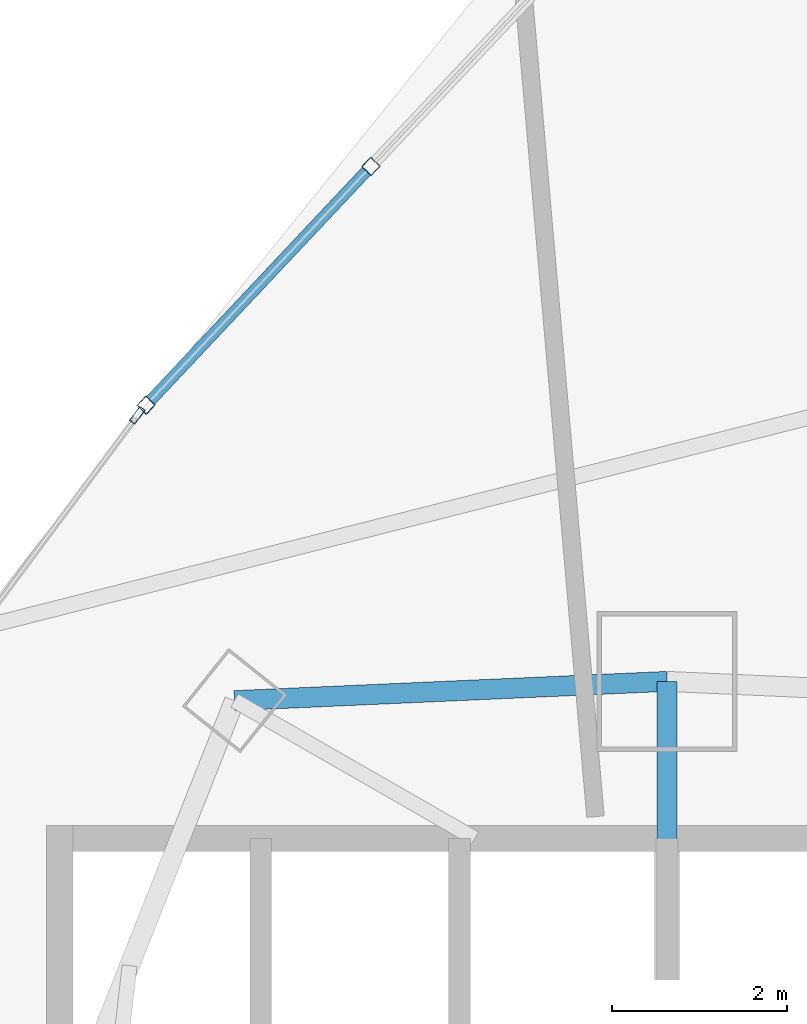
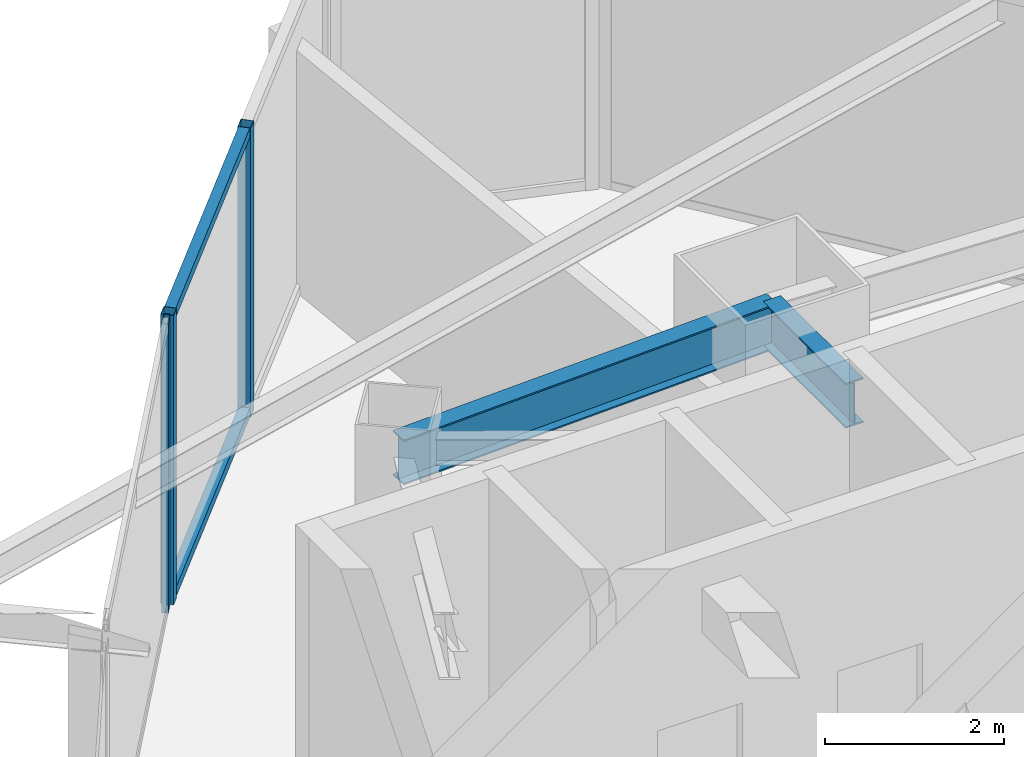
# One storey, part 21 of 33: 5 members, 2 beams, 2 elements without a shape of their own.
"""IFC4 building model written with IfcOpenShell, lengths in metres."""

import ifcopenshell
import ifcopenshell.guid

model = None  # the IFC model being written
_history = None  # IfcOwnerHistory: only IFC2X3 demands one
_inside = {}  # id of a spatial element -> (the spatial element, [elements in it])
_under = {}  # id of a project, library or spatial element -> (it, [spatial elements below it])
_declared = {}  # id of a project -> (the project, [libraries it declares])
_typed = {}  # id of a type object -> (the type object, [elements of that type])
_made_of = {}  # id of a material, layer set ... -> (it, [elements and type objects made of it])


def new_model(schema):
    """Start an empty IFC model of exactly this schema.

    Asked for "IFC4X3", IfcOpenShell would pick the latest addendum, in which some entities
    have other attributes; the version numbers below select the first issue.
    IFC2X3 requires an IfcOwnerHistory on every rooted entity: one is made here for all.
    """
    global model, _history
    if schema == "IFC4X3":
        model = ifcopenshell.file(schema_version=(4, 3, 0, 0))
    else:
        model = ifcopenshell.file(schema=schema)
    _inside.clear()
    _under.clear()
    _declared.clear()
    _typed.clear()
    _made_of.clear()
    _history = None
    if model.schema == "IFC2X3":
        org = make("IfcOrganization", Name="unknown")
        user = make(
            "IfcPersonAndOrganization",
            ThePerson=make("IfcPerson", FamilyName="unknown"),
            TheOrganization=org,
        )
        app = make(
            "IfcApplication",
            ApplicationDeveloper=org,
            Version="unknown",
            ApplicationFullName="unknown",
            ApplicationIdentifier="unknown",
        )
        _history = make(
            "IfcOwnerHistory",
            OwningUser=user,
            OwningApplication=app,
            ChangeAction="ADDED",
            CreationDate=0,
        )
    return model


def make(cls, **values):
    """One entity of the class cls with the attributes given. An attribute that is None is left unset."""
    return model.create_entity(
        cls, **{name: value for name, value in values.items() if value is not None}
    )


def rooted(cls, **values):
    """An entity with a GlobalId (a new one), such as an element, a storey or a relation."""
    return make(cls, GlobalId=ifcopenshell.guid.new(), OwnerHistory=_history, **values)


def si_unit(unit_type, name, prefix=None):
    """IfcSIUnit, for example si_unit("LENGTHUNIT", "METRE", prefix="MILLI")."""
    return make("IfcSIUnit", UnitType=unit_type, Prefix=prefix, Name=name)


def assignment(units):
    """IfcUnitAssignment: the units of a project."""
    return None if units is None else make("IfcUnitAssignment", Units=units)


def point(xyz):
    """IfcCartesianPoint."""
    return None if xyz is None else make("IfcCartesianPoint", Coordinates=xyz)


def direction(xyz):
    """IfcDirection."""
    return None if xyz is None else make("IfcDirection", DirectionRatios=xyz)


def frame(location, z_axis=None, x_axis=None):
    """IfcAxis2Placement3D, a coordinate frame: its origin and axes. An axis left out is left unset."""
    return make(
        "IfcAxis2Placement3D",
        Location=point(location),
        Axis=direction(z_axis),
        RefDirection=direction(x_axis),
    )


def frame_2d(location, x_axis=None):
    """IfcAxis2Placement2D, a coordinate frame in the plane: its origin and x axis."""
    return make(
        "IfcAxis2Placement2D", Location=point(location), RefDirection=direction(x_axis)
    )


def origin():
    """The frame at (0, 0, 0) with its axes left unset."""
    return frame((0.0, 0.0, 0.0))


def origin_2d():
    """The frame at (0, 0) in the plane with its x axis left unset."""
    return frame_2d((0.0, 0.0))


def place(relative_to, where):
    """IfcLocalPlacement: puts the frame where relative to a parent placement (None: the world)."""
    return make(
        "IfcLocalPlacement", PlacementRelTo=relative_to, RelativePlacement=where
    )


def context(
    kind, dimensions, precision=None, world=None, true_north=None, identifier=None
):
    """IfcGeometricRepresentationContext, for example the 3D "Model" context."""
    return make(
        "IfcGeometricRepresentationContext",
        ContextIdentifier=identifier,
        ContextType=kind,
        CoordinateSpaceDimension=dimensions,
        Precision=precision,
        WorldCoordinateSystem=world,
        TrueNorth=true_north,
    )


def subcontext(parent, identifier, kind, view, scale=None):
    """IfcGeometricRepresentationSubContext, for example "Body" below "Model"."""
    return make(
        "IfcGeometricRepresentationSubContext",
        ContextIdentifier=identifier,
        ContextType=kind,
        ParentContext=parent,
        TargetScale=scale,
        TargetView=view,
    )


def project(units=None, contexts=None):
    """IfcProject with its units and contexts."""
    return rooted(
        "IfcProject",
        Name="project",
        RepresentationContexts=contexts,
        UnitsInContext=assignment(units),
    )


def spatial(cls, under=None, at=None, **own):
    """A site, building, storey or space (cls), placed at a placement, below another one or the project."""
    s = rooted(cls, ObjectPlacement=at, **own)
    if under is not None:
        _under.setdefault(under.id(), (under, []))[1].append(s)
    return s


def profile(cls, at=None, kind="AREA", **sizes):
    """A parametric profile (cls). Its sizes go by their IFC names, for example OverallWidth=200.0."""
    return make(cls, ProfileType=kind, Position=at, **sizes)


def hollow_rectangle(**sizes):
    """IfcRectangleHollowProfileDef."""
    return profile("IfcRectangleHollowProfileDef", **sizes)


def i_section(**sizes):
    """IfcIShapeProfileDef."""
    return profile("IfcIShapeProfileDef", **sizes)


def extrude(swept, where, along, depth):
    """IfcExtrudedAreaSolid: the profile swept, set in the frame where, extruded along a direction by depth."""
    return make(
        "IfcExtrudedAreaSolid",
        SweptArea=swept,
        Position=where,
        ExtrudedDirection=direction(along),
        Depth=depth,
    )


def shape(context_of_items, identifier, shape_type, items):
    """IfcShapeRepresentation: the items that make up one representation, for example the "Body"."""
    return make(
        "IfcShapeRepresentation",
        ContextOfItems=context_of_items,
        RepresentationIdentifier=identifier,
        RepresentationType=shape_type,
        Items=items,
    )


def material(Name=None, Category=None):
    """IfcMaterial."""
    return make("IfcMaterial", Name=Name, Category=Category)


def layer(
    of_material, thickness, ventilated=None, Name=None, Category=None, Priority=None
):
    """IfcMaterialLayer: one layer of a wall or slab, of a material (None: an air gap)."""
    return make(
        "IfcMaterialLayer",
        Material=of_material,
        LayerThickness=thickness,
        IsVentilated=ventilated,
        Name=Name,
        Category=Category,
        Priority=Priority,
    )


def layer_set(layers, Name=None):
    """IfcMaterialLayerSet."""
    return make("IfcMaterialLayerSet", MaterialLayers=layers, LayerSetName=Name)


def material_profile(
    of_material, cross_section, Name=None, Category=None, Priority=None
):
    """IfcMaterialProfile: a cross section and its material."""
    return make(
        "IfcMaterialProfile",
        Name=Name,
        Material=of_material,
        Profile=cross_section,
        Priority=Priority,
        Category=Category,
    )


def profile_set(profiles, Name=None, composite=None):
    """IfcMaterialProfileSet."""
    return make(
        "IfcMaterialProfileSet",
        Name=Name,
        MaterialProfiles=profiles,
        CompositeProfile=composite,
    )


def made_of(thing, what):
    """Note that an element or type object is made of a material, layer set ...; save() writes the relation."""
    if what is not None:
        _made_of.setdefault(what.id(), (what, []))[1].append(thing)
    return thing


def type_object(cls, material=None, **own):
    """A type object (cls), such as IfcWallType, which elements share."""
    return made_of(rooted(cls, **own), material)


def element(
    cls,
    number,
    at=None,
    inside=None,
    cuts=None,
    type_object=None,
    material=None,
    context=None,
    identifier="Body",
    shape_type=None,
    held_by="IfcProductDefinitionShape",
    body=None,
    shapes=None,
    **own,
):
    """One element of the class cls, such as IfcWall. Its Tag is "e" and its number.

    at: its placement. inside: the storey or other place that contains it. cuts: it is an
    opening in that element (IfcRelVoidsElement). A single representation is given by context,
    identifier, shape_type and body (its items); several are given by shapes. held_by: the class
    of the entity that holds the representations. save() writes the other relations.
    """
    e = rooted(cls, Tag="e%d" % number, ObjectPlacement=at, **own)
    if body is not None:
        shapes = [shape(context, identifier, shape_type, body)]
    if shapes is not None:
        e.Representation = make(held_by, Representations=shapes)
    if inside is not None:
        _inside.setdefault(inside.id(), (inside, []))[1].append(e)
    if cuts is not None:
        rooted(
            "IfcRelVoidsElement", RelatingBuildingElement=cuts, RelatedOpeningElement=e
        )
    if type_object is not None:
        _typed.setdefault(type_object.id(), (type_object, []))[1].append(e)
    return made_of(e, material)


def aggregate(whole, parts):
    """IfcRelAggregates: a whole, such as a stair, and the parts it consists of."""
    return rooted("IfcRelAggregates", RelatingObject=whole, RelatedObjects=parts)


def save(model, path):
    """Write the relations noted so far, then the file.

    IfcRelAggregates (storeys below a building ...), IfcRelContainedInSpatialStructure (elements
    in a storey), IfcRelDefinesByType, IfcRelAssociatesMaterial and IfcRelDeclares: one each for
    every whole, place, type object, material and project.
    """
    for whole, parts in _under.values():
        aggregate(whole, parts)
    for where, things in _inside.values():
        rooted(
            "IfcRelContainedInSpatialStructure",
            RelatedElements=things,
            RelatingStructure=where,
        )
    for kind, things in _typed.values():
        rooted("IfcRelDefinesByType", RelatedObjects=things, RelatingType=kind)
    for what, things in _made_of.values():
        rooted("IfcRelAssociatesMaterial", RelatedObjects=things, RelatingMaterial=what)
    for by, libraries in _declared.values():
        rooted("IfcRelDeclares", RelatingContext=by, RelatedDefinitions=libraries)
    model.write(path)


model = new_model("IFC4")

# Units and contexts
model_context = context("Model", 3, precision=1e-05, world=origin(), true_north=direction((0.0, 1.0)))
body_context = subcontext(model_context, "Body", "Model", "MODEL_VIEW")
ifc_project = project(units=[si_unit("LENGTHUNIT", "METRE"), si_unit("AREAUNIT", "SQUARE_METRE"), si_unit("VOLUMEUNIT", "CUBIC_METRE"), si_unit("PLANEANGLEUNIT", "RADIAN"), si_unit("MASSUNIT", "GRAM", prefix="KILO")], contexts=[model_context])

# Site, building, storey
site_placement = place(None, origin())
site = spatial("IfcSite", under=ifc_project, at=site_placement, CompositionType="ELEMENT")
building_placement = place(site_placement, origin())
building = spatial("IfcBuilding", under=site, at=building_placement, Name="Orvanel Arch Residences", CompositionType="ELEMENT")
storey_placement = place(building_placement, frame((0.0, 0.0, 97.25)))
storey = spatial("IfcBuildingStorey", under=building, at=storey_placement, Name="L27", CompositionType="ELEMENT", Elevation=97.25)

# Beam
ifc_material_1 = material(Name="Structural steel AS/NZS 3679.1 Grade 300 (300 MPa)", Category="steel")
ifc_material_profile_1 = material_profile(ifc_material_1, i_section(OverallWidth=0.22900390625, OverallDepth=0.612060546875, WebThickness=0.011962890625, FlangeThickness=0.01953125, at=origin_2d()), Name="610UB125")
ifc_profile_set_1 = profile_set([ifc_material_profile_1], Name="Structural steel AS/NZS 3679.1 Grade 300 (300 MPa)")
beam_type_1 = type_object("IfcBeamType", Name="BG-610UB", PredefinedType="BEAM", material=ifc_profile_set_1)
beam_1_placement = place(storey_placement, frame((33.0, 39.550048828125, 3.64404296875), z_axis=(0.0, 1.0, 0.0), x_axis=(-1.0, 0.0, 0.0)))
element("IfcBeam", 1, at=beam_1_placement, inside=storey, type_object=beam_type_1, Name="L27 North Radial Girder", PredefinedType="BEAM", context=body_context, shape_type="SweptSolid", body=[
    extrude(i_section(OverallWidth=0.22900390625, OverallDepth=0.612060546875, WebThickness=0.011962890625, FlangeThickness=0.01953125, at=origin_2d()), origin(), (0.0, 0.0, 1.0), 1.847900390625),
])

# Curtain wall, members
ifc_material_2 = material(Name="Bronze-anodised aluminium AA6063-T6", Category="aluminium")
ifc_layer_1 = layer(ifc_material_2, 0.18994140625)
ifc_layer_set_1 = layer_set([ifc_layer_1], Name="Bronze-anodised aluminium AA6063-T6")
curtain_wall_type_1 = type_object("IfcCurtainWallType", Name="CW5-CRN-SYS", PredefinedType="NOTDEFINED", material=ifc_layer_set_1)
curtain_wall_1_placement = place(storey_placement, origin())
curtain_wall_1 = element("IfcCurtainWall", 2, at=curtain_wall_1_placement, inside=storey, type_object=curtain_wall_type_1, Name="L27 CW5-CRN-SYS Unitised Curtain Wall", PredefinedType="NOTDEFINED")
ifc_material_profile_2 = material_profile(ifc_material_2, hollow_rectangle(XDim=0.14990234375, YDim=0.14990234375, WallThickness=0.0048828125, at=origin_2d()), Name="ALU150x150x5")
ifc_profile_set_2 = profile_set([ifc_material_profile_2], Name="Bronze-anodised aluminium AA6063-T6")
member_type_1 = type_object("IfcMemberType", Name="MUL-150x150", PredefinedType="MULLION", material=ifc_profile_set_2)
member_1_placement = place(storey_placement, frame((29.611083984375, 47.29296875, 0.0), z_axis=(0.0, 0.0, 1.0), x_axis=(0.728069647077, -0.68550316484, 0.0)))
member_1 = element("IfcMember", 3, at=member_1_placement, type_object=member_type_1, Name="CW-S5 mullion 2", PredefinedType="MULLION", context=body_context, shape_type="SweptSolid", body=[
    extrude(hollow_rectangle(XDim=0.14990234375, YDim=0.14990234375, WallThickness=0.0048828125, at=origin_2d()), origin(), (0.0, 0.0, 1.0), 3.949951171875),
])
member_2_placement = place(storey_placement, frame((27.037353515625, 44.5595703125, 0.0), z_axis=(0.0, 0.0, 1.0), x_axis=(0.728069647077, -0.68550316484, 0.0)))
member_2 = element("IfcMember", 4, at=member_2_placement, type_object=member_type_1, Name="CW-S5 mullion 3", PredefinedType="MULLION", context=body_context, shape_type="SweptSolid", body=[
    extrude(hollow_rectangle(XDim=0.14990234375, YDim=0.14990234375, WallThickness=0.0048828125, at=origin_2d()), origin(), (0.0, 0.0, 1.0), 3.949951171875),
])

# Curtain wall, member
ifc_layer_2 = layer(ifc_material_2, 0.195068359375)
ifc_layer_set_2 = layer_set([ifc_layer_2], Name="Bronze-anodised aluminium AA6063-T6")
curtain_wall_type_2 = type_object("IfcCurtainWallType", Name="CW6-COM-SYS", PredefinedType="NOTDEFINED", material=ifc_layer_set_2)
curtain_wall_2_placement = place(storey_placement, origin())
curtain_wall_2 = element("IfcCurtainWall", 5, at=curtain_wall_2_placement, inside=storey, type_object=curtain_wall_type_2, Name="L27 CW6-COM-SYS Unitised Curtain Wall", PredefinedType="NOTDEFINED")
ifc_material_profile_3 = material_profile(ifc_material_2, hollow_rectangle(XDim=0.074951171875, YDim=0.199951171875, WallThickness=0.0048828125, at=origin_2d()), Name="ALU200x75x5")
ifc_profile_set_3 = profile_set([ifc_material_profile_3], Name="Bronze-anodised aluminium AA6063-T6")
member_type_2 = type_object("IfcMemberType", Name="MUL-200x75", PredefinedType="MULLION", material=ifc_profile_set_3)
member_3_placement = place(storey_placement, frame((26.937744140625, 44.44384765625, 0.0), z_axis=(0.0, 0.0, 1.0), x_axis=(0.802490155261, -0.596665359065, 0.0)))
member_3 = element("IfcMember", 6, at=member_3_placement, type_object=member_type_2, Name="CW-S6 mullion 1", PredefinedType="MULLION", context=body_context, shape_type="SweptSolid", body=[
    extrude(hollow_rectangle(XDim=0.074951171875, YDim=0.199951171875, WallThickness=0.0048828125, at=origin_2d()), origin(), (0.0, 0.0, 1.0), 3.949951171875),
])
aggregate(curtain_wall_2, [member_3])

# Beam
ifc_material_profile_4 = material_profile(ifc_material_1, i_section(OverallWidth=0.22900390625, OverallDepth=0.612060546875, WebThickness=0.011962890625, FlangeThickness=0.01953125, at=origin_2d()), Name="610UB125")
ifc_profile_set_4 = profile_set([ifc_material_profile_4], Name="Structural steel AS/NZS 3679.1 Grade 300 (300 MPa)")
beam_type_2 = type_object("IfcBeamType", Name="SP-610UB", PredefinedType="SPANDREL", material=ifc_profile_set_4)
beam_2_placement = place(storey_placement, frame((33.0, 41.39794921875, 3.64404296875), z_axis=(-0.999014049296, -0.044395149614, 0.0), x_axis=(0.044395149614, -0.999014049296, 0.0)))
element("IfcBeam", 7, at=beam_2_placement, inside=storey, type_object=beam_type_2, Name="L27 Perimeter Spandrel Beam 17", PredefinedType="SPANDREL", context=body_context, shape_type="SweptSolid", body=[
    extrude(i_section(OverallWidth=0.22900390625, OverallDepth=0.612060546875, WebThickness=0.011962890625, FlangeThickness=0.01953125, at=origin_2d()), origin(), (0.0, 0.0, 1.0), 4.954833984375),
])

# Member
ifc_material_profile_5 = material_profile(ifc_material_2, hollow_rectangle(XDim=0.1298828125, YDim=0.1298828125, WallThickness=0.00439453125, at=origin_2d()), Name="ALU130x130x4.5")
ifc_profile_set_5 = profile_set([ifc_material_profile_5], Name="Bronze-anodised aluminium AA6063-T6")
member_type_3 = type_object("IfcMemberType", Name="TRN-130x130", PredefinedType="USERDEFINED", material=ifc_profile_set_5)
member_4_placement = place(storey_placement, frame((29.5595703125, 47.23828125, 0.06494140625), z_axis=(-0.685516816728, -0.728056793102, 0.0), x_axis=(0.728056793102, -0.685516816728, 0.0)))
member_4 = element("IfcMember", 8, at=member_4_placement, type_object=member_type_3, Name="CW-S5 transom 2.1", ObjectType="TRANSOM", PredefinedType="USERDEFINED", context=body_context, shape_type="SweptSolid", body=[
    extrude(hollow_rectangle(XDim=0.1298828125, YDim=0.1298828125, WallThickness=0.00439453125, at=origin_2d()), origin(), (0.0, 0.0, 1.0), 3.604248046875),
])

member_5_placement = place(storey_placement, frame((29.5595703125, 47.23828125, 3.885009765625), z_axis=(-0.685516816728, -0.728056793102, 0.0), x_axis=(0.728056793102, -0.685516816728, 0.0)))
member_5 = element("IfcMember", 9, at=member_5_placement, type_object=member_type_3, Name="CW-S5 transom 2.2", ObjectType="TRANSOM", PredefinedType="USERDEFINED", context=body_context, shape_type="SweptSolid", body=[
    extrude(hollow_rectangle(XDim=0.1298828125, YDim=0.1298828125, WallThickness=0.00439453125, at=origin_2d()), origin(), (0.0, 0.0, 1.0), 3.604248046875),
])

aggregate(curtain_wall_1, [member_1, member_2, member_4, member_5])

save(model, "model.ifc")
